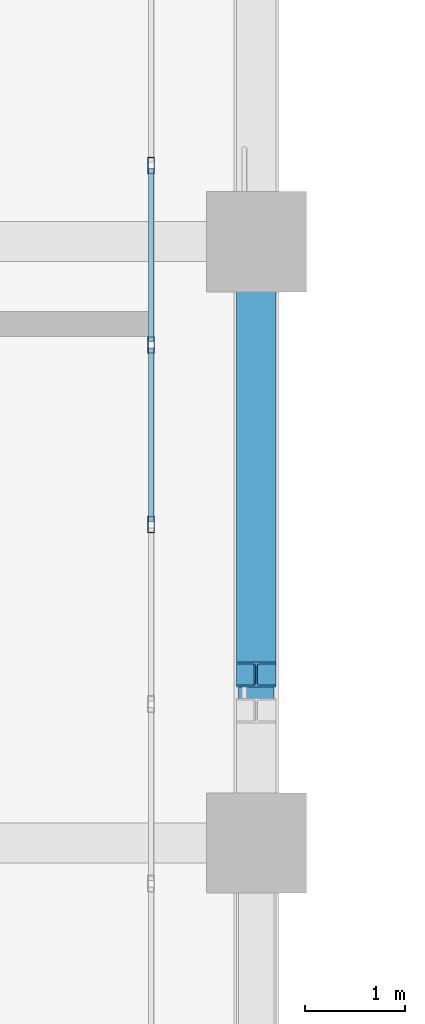
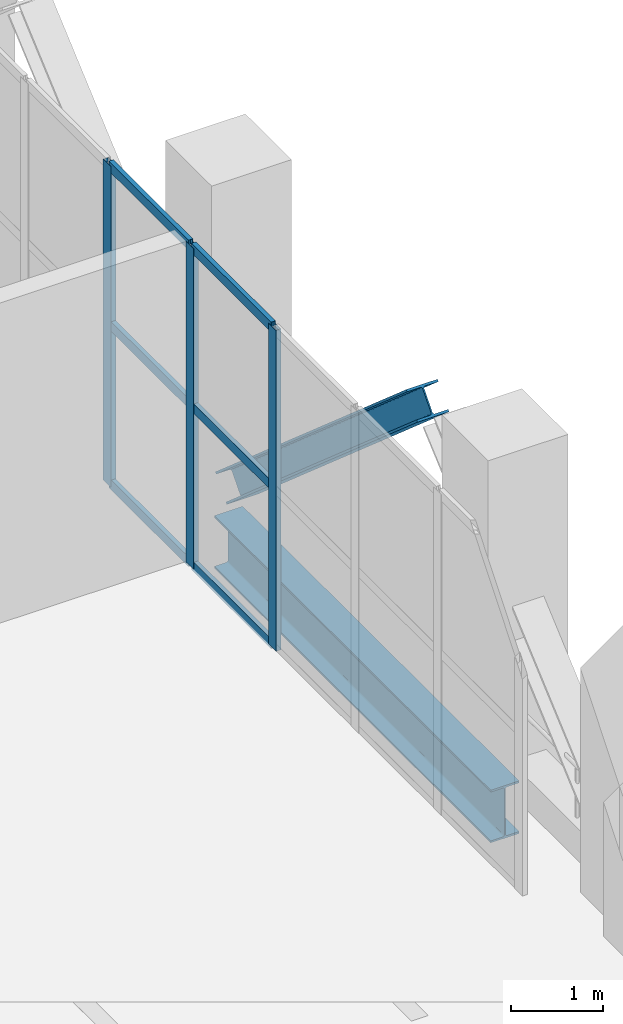
# One storey, part 9 of 27: 10 members, 1 beam, 1 element without a shape of its own.
"""IFC4 building model written with IfcOpenShell, lengths in metres."""

from ifc_helpers import new_model, si_unit, direction, frame, origin, origin_2d, place, context, subcontext, project, spatial, hollow_rectangle, i_section, extrude, material, layer, layer_set, material_profile, profile_set, type_object, element, aggregate, save


model = new_model("IFC4")

# Units and contexts
model_context = context("Model", 3, precision=1e-05, world=origin(), true_north=direction((0.0, 1.0)))
body_context = subcontext(model_context, "Body", "Model", "MODEL_VIEW")
ifc_project = project(units=[si_unit("LENGTHUNIT", "METRE"), si_unit("AREAUNIT", "SQUARE_METRE"), si_unit("VOLUMEUNIT", "CUBIC_METRE"), si_unit("PLANEANGLEUNIT", "RADIAN"), si_unit("MASSUNIT", "GRAM", prefix="KILO")], contexts=[model_context])

# Site, building, storey
site_placement = place(None, origin())
site = spatial("IfcSite", under=ifc_project, at=site_placement, CompositionType="ELEMENT")
building_placement = place(site_placement, origin())
building = spatial("IfcBuilding", under=site, at=building_placement, Name="Mawjdan Bourse Tower", CompositionType="ELEMENT")
storey_placement = place(building_placement, frame((0.0, 0.0, 155.699951171875)))
storey = spatial("IfcBuildingStorey", under=building, at=storey_placement, Name="L37", CompositionType="ELEMENT", Elevation=155.699951171875)

# Member
ifc_material_1 = material(Name="Structural Steel S460", Category="steel")
ifc_material_profile_1 = material_profile(ifc_material_1, i_section(OverallWidth=0.39404296875, OverallDepth=0.375, WebThickness=0.017333984375, FlangeThickness=0.027587890625, FilletRadius=0.022216796875, at=origin_2d()), Name="W14X145")
ifc_profile_set_1 = profile_set([ifc_material_profile_1], Name="Structural Steel S460")
member_type_1 = type_object("IfcMemberType", Name="BRC-W14X145", PredefinedType="BRACE", material=ifc_profile_set_1)
member_1_placement = place(storey_placement, frame((24.0, 25.679931640625, 3.800048828125), z_axis=(0.0, 0.754607438139, -0.656176511546), x_axis=(-1.0, 0.0, 0.0)))
element("IfcMember", 1, at=member_1_placement, inside=storey, type_object=member_type_1, Name="L37 North Wing Perimeter Belt Truss Diagonal 2", PredefinedType="BRACE", context=body_context, shape_type="SweptSolid", body=[
    extrude(i_section(OverallWidth=0.39404296875, OverallDepth=0.375, WebThickness=0.017333984375, FlangeThickness=0.027587890625, FilletRadius=0.022216796875, at=origin_2d()), origin(), (0.0, 0.0, 1.0), 5.486572265625),
])

# Curtain wall, members
ifc_material_2 = material(Name="Thermally Broken Aluminium and Solar Glass", Category="aluminium")
ifc_layer = layer(ifc_material_2, 0.219970703125)
ifc_layer_set = layer_set([ifc_layer], Name="Thermally Broken Aluminium and Solar Glass")
curtain_wall_type = type_object("IfcCurtainWallType", Name="CW-RFG", PredefinedType="USERDEFINED", material=ifc_layer_set)
curtain_wall_placement = place(storey_placement, origin())
curtain_wall = element("IfcCurtainWall", 2, at=curtain_wall_placement, inside=storey, type_object=curtain_wall_type, Name="L37 Refuge Band North-Wing Louvre Curtain Wall", ObjectType="REFUGE BAND LOUVRE SCREEN", PredefinedType="USERDEFINED")
ifc_material_3 = material(Name="Thermally Broken Anodised Aluminium", Category="aluminium")
ifc_material_profile_2 = material_profile(ifc_material_3, hollow_rectangle(XDim=0.06494140625, YDim=0.1650390625, WallThickness=0.00390625, at=origin_2d()), Name="ALU-MUL-165X65")
ifc_profile_set_2 = profile_set([ifc_material_profile_2], Name="Thermally Broken Anodised Aluminium")
member_type_2 = type_object("IfcMemberType", Name="MUL-ALU-MUL-165X65", PredefinedType="MULLION", material=ifc_profile_set_2)
member_2_placement = place(storey_placement, frame((22.949951171875, 27.177001953125, 0.0), z_axis=(0.0, 0.0, 1.0), x_axis=(-1.0, 0.0, 0.0)))
member_2 = element("IfcMember", 3, at=member_2_placement, type_object=member_type_2, Name="CW-RFG-L37-RFG-W mullion 4", PredefinedType="MULLION", context=body_context, shape_type="SweptSolid", body=[
    extrude(hollow_rectangle(XDim=0.06494140625, YDim=0.1650390625, WallThickness=0.00390625, at=origin_2d()), origin(), (0.0, 0.0, 1.0), 4.25),
])
member_3_placement = place(storey_placement, frame((22.949951171875, 28.96923828125, 0.0), z_axis=(0.0, 0.0, 1.0), x_axis=(-1.0, 0.0, 0.0)))
member_3 = element("IfcMember", 4, at=member_3_placement, type_object=member_type_2, Name="CW-RFG-L37-RFG-W mullion 5", PredefinedType="MULLION", context=body_context, shape_type="SweptSolid", body=[
    extrude(hollow_rectangle(XDim=0.06494140625, YDim=0.1650390625, WallThickness=0.00390625, at=origin_2d()), origin(), (0.0, 0.0, 1.0), 4.25),
])
member_4_placement = place(storey_placement, frame((22.949951171875, 30.761474609375, 0.0), z_axis=(0.0, 0.0, 1.0), x_axis=(-1.0, 0.0, 0.0)))
member_4 = element("IfcMember", 5, at=member_4_placement, type_object=member_type_2, Name="CW-RFG-L37-RFG-W mullion 6", PredefinedType="MULLION", context=body_context, shape_type="SweptSolid", body=[
    extrude(hollow_rectangle(XDim=0.06494140625, YDim=0.1650390625, WallThickness=0.00390625, at=origin_2d()), origin(), (0.0, 0.0, 1.0), 4.25),
])

# Beam
ifc_material_4 = material(Name="Structural Steel S355", Category="steel")
ifc_material_profile_3 = material_profile(ifc_material_4, i_section(OverallWidth=0.35498046875, OverallDepth=0.696044921875, WebThickness=0.015380859375, FlangeThickness=0.02490234375, FilletRadius=0.019775390625, at=origin_2d()), Name="W27X146")
ifc_profile_set_3 = profile_set([ifc_material_profile_3], Name="Structural Steel S355")
beam_type = type_object("IfcBeamType", Name="SPN-W27X146", PredefinedType="SPANDREL", material=ifc_profile_set_3)
beam_placement = place(storey_placement, frame((24.0, 24.0, -0.6279296875), z_axis=(0.0, 1.0, 0.0), x_axis=(-1.0, 0.0, 0.0)))
element("IfcBeam", 6, at=beam_placement, inside=storey, type_object=beam_type, Name="L37 North Wing Spandrel 066", PredefinedType="SPANDREL", context=body_context, shape_type="SweptSolid", body=[
    extrude(i_section(OverallWidth=0.35498046875, OverallDepth=0.696044921875, WebThickness=0.015380859375, FlangeThickness=0.02490234375, FilletRadius=0.019775390625, at=origin_2d()), origin(), (0.0, 0.0, 1.0), 6.0),
])

# Member
ifc_material_profile_4 = material_profile(ifc_material_3, hollow_rectangle(XDim=0.054931640625, YDim=0.1298828125, WallThickness=0.00341796875, at=origin_2d()), Name="ALU-TRN-130X55")
ifc_profile_set_4 = profile_set([ifc_material_profile_4], Name="Thermally Broken Anodised Aluminium")
member_type_3 = type_object("IfcMemberType", Name="TRN-ALU-TRN-130X55", PredefinedType="USERDEFINED", material=ifc_profile_set_4)
member_5_placement = place(storey_placement, frame((22.949951171875, 27.20947265625, 0.027587890625), z_axis=(0.0, 1.0, 0.0), x_axis=(-1.0, 0.0, 0.0)))
member_5 = element("IfcMember", 7, at=member_5_placement, type_object=member_type_3, Name="CW-RFG-L37-RFG-W transom 4.1", ObjectType="TRANSOM", PredefinedType="USERDEFINED", context=body_context, shape_type="SweptSolid", body=[
    extrude(hollow_rectangle(XDim=0.054931640625, YDim=0.1298828125, WallThickness=0.00341796875, at=origin_2d()), origin(), (0.0, 0.0, 1.0), 1.727294921875),
])

member_6_placement = place(storey_placement, frame((22.949951171875, 27.20947265625, 2.125), z_axis=(0.0, 1.0, 0.0), x_axis=(-1.0, 0.0, 0.0)))
member_6 = element("IfcMember", 8, at=member_6_placement, type_object=member_type_3, Name="CW-RFG-L37-RFG-W transom 4.2", ObjectType="TRANSOM", PredefinedType="USERDEFINED", context=body_context, shape_type="SweptSolid", body=[
    extrude(hollow_rectangle(XDim=0.054931640625, YDim=0.1298828125, WallThickness=0.00341796875, at=origin_2d()), origin(), (0.0, 0.0, 1.0), 1.727294921875),
])

member_7_placement = place(storey_placement, frame((22.949951171875, 27.20947265625, 4.22265625), z_axis=(0.0, 1.0, 0.0), x_axis=(-1.0, 0.0, 0.0)))
member_7 = element("IfcMember", 9, at=member_7_placement, type_object=member_type_3, Name="CW-RFG-L37-RFG-W transom 4.3", ObjectType="TRANSOM", PredefinedType="USERDEFINED", context=body_context, shape_type="SweptSolid", body=[
    extrude(hollow_rectangle(XDim=0.054931640625, YDim=0.1298828125, WallThickness=0.00341796875, at=origin_2d()), origin(), (0.0, 0.0, 1.0), 1.727294921875),
])

member_8_placement = place(storey_placement, frame((22.949951171875, 29.001708984375, 0.027587890625), z_axis=(0.0, 1.0, 0.0), x_axis=(-1.0, 0.0, 0.0)))
member_8 = element("IfcMember", 10, at=member_8_placement, type_object=member_type_3, Name="CW-RFG-L37-RFG-W transom 5.1", ObjectType="TRANSOM", PredefinedType="USERDEFINED", context=body_context, shape_type="SweptSolid", body=[
    extrude(hollow_rectangle(XDim=0.054931640625, YDim=0.1298828125, WallThickness=0.00341796875, at=origin_2d()), origin(), (0.0, 0.0, 1.0), 1.727294921875),
])

member_9_placement = place(storey_placement, frame((22.949951171875, 29.001708984375, 2.125), z_axis=(0.0, 1.0, 0.0), x_axis=(-1.0, 0.0, 0.0)))
member_9 = element("IfcMember", 11, at=member_9_placement, type_object=member_type_3, Name="CW-RFG-L37-RFG-W transom 5.2", ObjectType="TRANSOM", PredefinedType="USERDEFINED", context=body_context, shape_type="SweptSolid", body=[
    extrude(hollow_rectangle(XDim=0.054931640625, YDim=0.1298828125, WallThickness=0.00341796875, at=origin_2d()), origin(), (0.0, 0.0, 1.0), 1.727294921875),
])

member_10_placement = place(storey_placement, frame((22.949951171875, 29.001708984375, 4.22265625), z_axis=(0.0, 1.0, 0.0), x_axis=(-1.0, 0.0, 0.0)))
member_10 = element("IfcMember", 12, at=member_10_placement, type_object=member_type_3, Name="CW-RFG-L37-RFG-W transom 5.3", ObjectType="TRANSOM", PredefinedType="USERDEFINED", context=body_context, shape_type="SweptSolid", body=[
    extrude(hollow_rectangle(XDim=0.054931640625, YDim=0.1298828125, WallThickness=0.00341796875, at=origin_2d()), origin(), (0.0, 0.0, 1.0), 1.727294921875),
])

aggregate(curtain_wall, [member_2, member_3, member_4, member_5, member_6, member_7, member_8, member_9, member_10])

save(model, "model.ifc")
